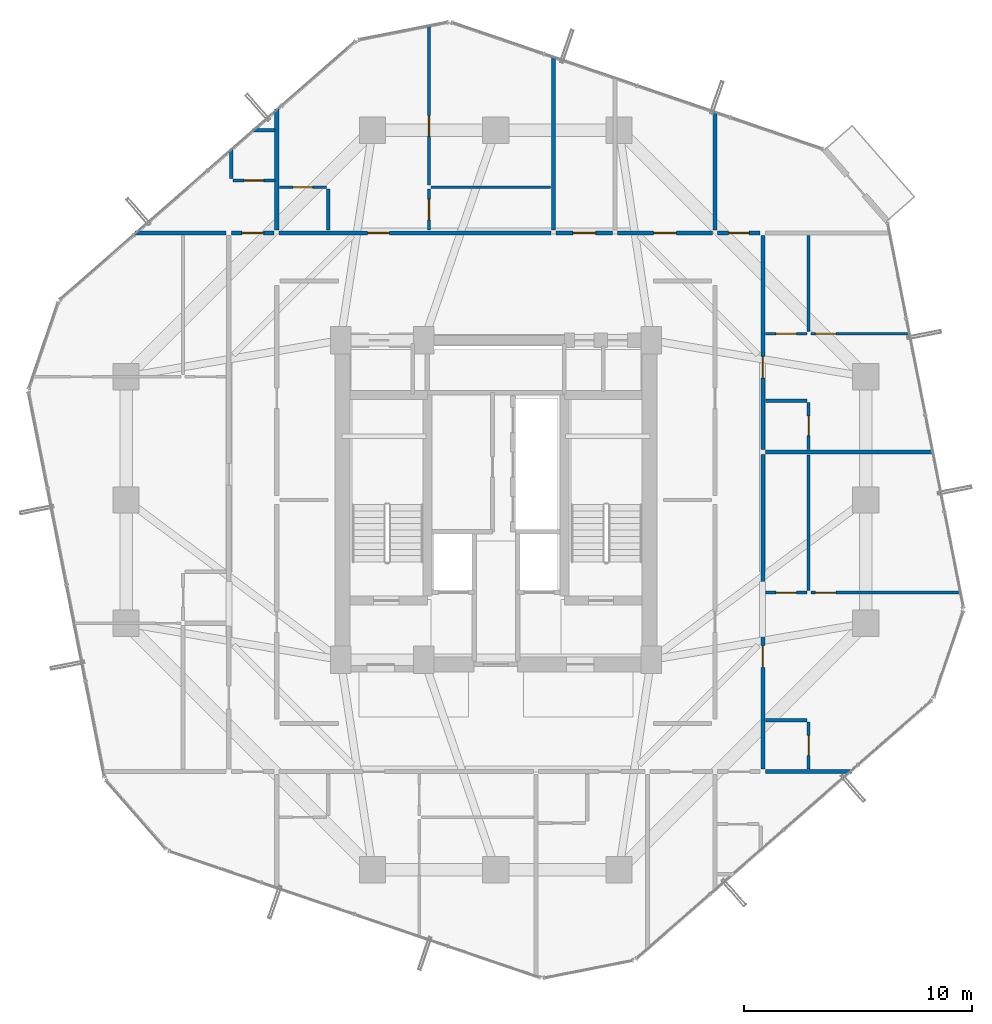
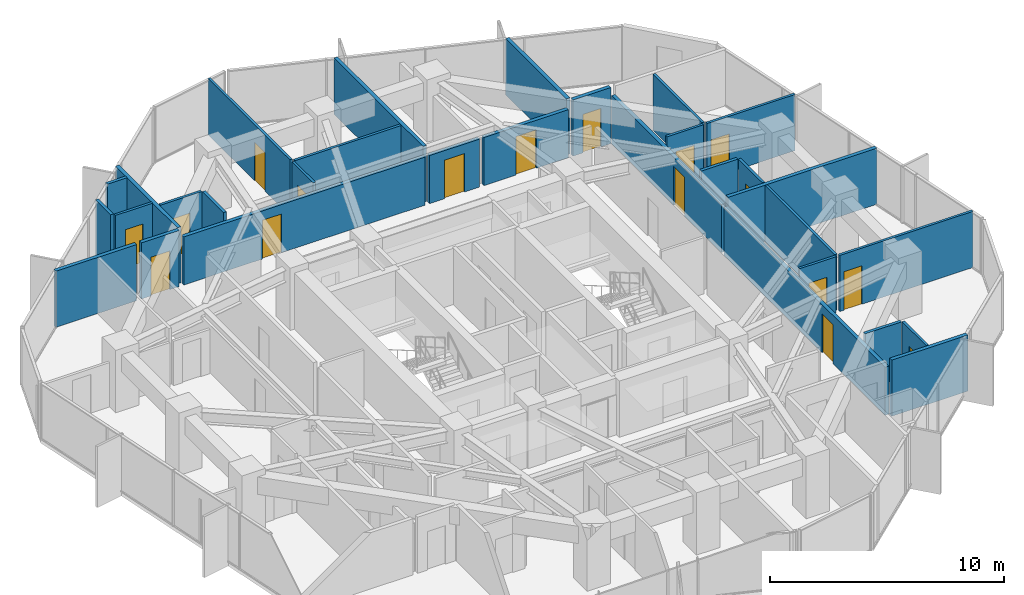
# One storey, part 33 of 36: 31 walls, 17 doors, 17 openings.
"""IFC4 building model written with IfcOpenShell, lengths in metres."""

from ifc_helpers import new_model, si_unit, direction, frame, frame_2d, origin, place, context, subcontext, project, spatial, rectangle, extrude, source, transform, mapped, material, layer, layer_set, type_object, element, fill, save


model = new_model("IFC4")

# Units and contexts
model_context = context("Model", 3, precision=1e-05, world=origin(), true_north=direction((0.0, 1.0)))
body_context = subcontext(model_context, "Body", "Model", "MODEL_VIEW")
ifc_project = project(units=[si_unit("LENGTHUNIT", "METRE"), si_unit("AREAUNIT", "SQUARE_METRE"), si_unit("VOLUMEUNIT", "CUBIC_METRE"), si_unit("PLANEANGLEUNIT", "RADIAN"), si_unit("MASSUNIT", "GRAM", prefix="KILO")], contexts=[model_context])

# Site, building, storey
site_placement = place(None, origin())
site = spatial("IfcSite", under=ifc_project, at=site_placement, CompositionType="ELEMENT")
building_placement = place(site_placement, origin())
building = spatial("IfcBuilding", under=site, at=building_placement, Name="Veraguas Prism Commons", CompositionType="ELEMENT")
storey_placement = place(building_placement, frame((0.0, 0.0, 166.300048828125)))
storey = spatial("IfcBuildingStorey", under=building, at=storey_placement, Name="L47", CompositionType="ELEMENT", Elevation=166.300048828125)

# Walls
ifc_material_1 = material(Name="Autoclaved aerated masonry block 10 MPa", Category="masonry")
ifc_layer_1 = layer(ifc_material_1, 0.179931640625, Name="Corridor and Inter-Tenancy Partition 180", Category="masonry")
ifc_layer_set_1 = layer_set([ifc_layer_1], Name="Autoclaved aerated masonry block 10 MPa")
wall_type_1 = type_object("IfcWallType", Name="Corridor and Inter-Tenancy Partition 180", PredefinedType="PARTITIONING", material=ifc_layer_set_1)
wall_1_placement = place(storey_placement, frame((14.39990234375, 35.820068359375, 0.0), z_axis=(0.0, 0.0, 1.0), x_axis=(0.0, 1.0, 0.0)))
element("IfcWall", 1, at=wall_1_placement, inside=storey, type_object=wall_type_1, Name="WL-L47-PT015", PredefinedType="PARTITIONING", context=body_context, shape_type="SweptSolid", body=[
    extrude(rectangle(XDim=5.306396484375, YDim=0.179931640625, at=frame_2d((2.6533203125, 0.0))), origin(), (0.0, 0.0, 1.0), 2.929931640625),
])
wall_2_placement = place(storey_placement, frame((33.60009765625, 35.820068359375, 0.0), z_axis=(0.0, 0.0, 1.0), x_axis=(0.0, 1.0, 0.0)))
element("IfcWall", 2, at=wall_2_placement, inside=storey, type_object=wall_type_1, Name="WL-L47-PT016", PredefinedType="PARTITIONING", context=body_context, shape_type="SweptSolid", body=[
    extrude(rectangle(XDim=5.204345703125, YDim=0.179931640625, at=frame_2d((2.60205078125, 0.0))), origin(), (0.0, 0.0, 1.0), 2.929931640625),
])

# Wall, opening, door
wall_3_placement = place(storey_placement, frame((14.510009765625, 35.699951171875, 0.0), z_axis=(0.0, 0.0, 1.0), x_axis=(1.0, 0.0, 0.0)))
wall_3 = element("IfcWall", 3, at=wall_3_placement, inside=storey, type_object=wall_type_1, Name="WL-L47-PT017", PredefinedType="PARTITIONING", context=body_context, shape_type="SweptSolid", body=[
    extrude(rectangle(XDim=11.904052734375, YDim=0.179931640625, at=frame_2d((5.9521484375, 0.0))), origin(), (0.0, 0.0, 1.0), 2.510009765625),
])
opening_1_placement = place(wall_3_placement, frame((3.8740234375, 0.0, 0.0)))
opening_1 = element("IfcOpeningElement", 4, at=opening_1_placement, cuts=wall_3, Name="Opening DR-01", PredefinedType="OPENING", context=body_context, shape_type="SweptSolid", body=[
    extrude(rectangle(XDim=0.949951171875, YDim=2.02001953125, at=frame_2d((0.47509765625, 1.010009765625))), frame((0.0, 0.099853515625, 0.0), z_axis=(0.0, -1.0, 0.0), x_axis=(1.0, 0.0, 0.0)), (0.0, 0.0, 1.0), 0.199951171875),
])
ifc_material_2 = material(Name="Anodised aluminium EN AW-6063 T6", Category="aluminium")
door_type_1 = type_object("IfcDoorType", Name="Apartment Entrance Fire Door 950x2020", OperationType="NOTDEFINED", PredefinedType="DOOR", material=ifc_material_2)
shared_shape_1 = source(origin(), body_context, "Body", "SweptSolid", [
    extrude(rectangle(XDim=0.949951171875, YDim=2.02001953125, at=frame_2d((0.47509765625, 1.010009765625))), frame((0.0, 0.02490234375, 0.0), z_axis=(0.0, -1.0, 0.0), x_axis=(1.0, 0.0, 0.0)), (0.0, 0.0, 1.0), 0.050048828125),
])
door_1_placement = place(opening_1_placement, origin())
door_1 = element("IfcDoor", 5, at=door_1_placement, inside=storey, type_object=door_type_1, Name="Flat 47C Entrance Door", OperationType="SINGLE_SWING_RIGHT", OverallHeight=2.02001953125, OverallWidth=0.949951171875, PredefinedType="DOOR", context=body_context, shape_type="MappedRepresentation", body=[
    mapped(shared_shape_1, transform((0.0, 0.0, 0.0), scale=1.0)),
])
fill(opening_1, door_1)

# Wall
wall_4_placement = place(storey_placement, frame((26.52392578125, 35.820068359375, 0.0), z_axis=(0.0, 0.0, 1.0), x_axis=(0.0, 1.0, 0.0)))
element("IfcWall", 6, at=wall_4_placement, inside=storey, type_object=wall_type_1, Name="WL-L47-PT023", PredefinedType="PARTITIONING", context=body_context, shape_type="SweptSolid", body=[
    extrude(rectangle(XDim=7.61865234375, YDim=0.179931640625, at=frame_2d((3.809326171875, 0.0))), origin(), (0.0, 0.0, 1.0), 2.929931640625),
])

# Wall, opening, door
wall_5_placement = place(storey_placement, frame((26.634033203125, 35.699951171875, 0.0), z_axis=(0.0, 0.0, 1.0), x_axis=(1.0, 0.0, 0.0)))
wall_5 = element("IfcWall", 7, at=wall_5_placement, inside=storey, type_object=wall_type_1, Name="WL-L47-PT024", PredefinedType="PARTITIONING", context=body_context, shape_type="SweptSolid", body=[
    extrude(rectangle(XDim=2.468994140625, YDim=0.179931640625, at=frame_2d((1.234375, 0.0))), origin(), (0.0, 0.0, 1.0), 2.510009765625),
])
opening_2_placement = place(wall_5_placement, frame((0.734619140625, 0.0, 0.0)))
opening_2 = element("IfcOpeningElement", 8, at=opening_2_placement, cuts=wall_5, Name="Opening DR-13", PredefinedType="OPENING", context=body_context, shape_type="SweptSolid", body=[
    extrude(rectangle(XDim=1.0, YDim=2.010009765625, at=frame_2d((0.5, 1.0048828125))), frame((0.0, 0.099853515625, 0.0), z_axis=(0.0, -1.0, 0.0), x_axis=(1.0, 0.0, 0.0)), (0.0, 0.0, 1.0), 0.199951171875),
])
ifc_material_3 = material(Name="Steel fire-rated door assembly", Category="steel")
door_type_2 = type_object("IfcDoorType", Name="Core Accessible WC and Clinic Fire Door 1000x2010", OperationType="NOTDEFINED", PredefinedType="DOOR", material=ifc_material_3)
shared_shape_2 = source(origin(), body_context, "Body", "SweptSolid", [
    extrude(rectangle(XDim=1.0, YDim=2.010009765625, at=frame_2d((0.5, 1.0048828125))), frame((0.0, 0.02490234375, 0.0), z_axis=(0.0, -1.0, 0.0), x_axis=(1.0, 0.0, 0.0)), (0.0, 0.0, 1.0), 0.050048828125),
])
door_2_placement = place(opening_2_placement, origin())
door_2 = element("IfcDoor", 9, at=door_2_placement, inside=storey, type_object=door_type_2, Name="Residents Study Room Door", OperationType="SINGLE_SWING_RIGHT", OverallHeight=2.010009765625, OverallWidth=1.0, PredefinedType="DOOR", context=body_context, shape_type="MappedRepresentation", body=[
    mapped(shared_shape_2, transform((0.0, 0.0, 0.0), scale=1.0)),
])
fill(opening_2, door_2)

wall_6_placement = place(storey_placement, frame((29.322998046875, 35.699951171875, 0.0), z_axis=(0.0, 0.0, 1.0), x_axis=(1.0, 0.0, 0.0)))
wall_6 = element("IfcWall", 10, at=wall_6_placement, inside=storey, type_object=wall_type_1, Name="WL-L47-PT025", PredefinedType="PARTITIONING", context=body_context, shape_type="SweptSolid", body=[
    extrude(rectangle(XDim=4.1669921875, YDim=0.179931640625, at=frame_2d((2.08349609375, 0.0))), origin(), (0.0, 0.0, 1.0), 2.510009765625),
])
opening_3_placement = place(wall_6_placement, frame((1.58349609375, 0.0, 0.0)))
opening_3 = element("IfcOpeningElement", 11, at=opening_3_placement, cuts=wall_6, Name="Opening DR-13", PredefinedType="OPENING", context=body_context, shape_type="SweptSolid", body=[
    extrude(rectangle(XDim=1.0, YDim=2.010009765625, at=frame_2d((0.5, 1.0048828125))), frame((0.0, 0.099853515625, 0.0), z_axis=(0.0, -1.0, 0.0), x_axis=(1.0, 0.0, 0.0)), (0.0, 0.0, 1.0), 0.199951171875),
])
door_3_placement = place(opening_3_placement, origin())
door_3 = element("IfcDoor", 12, at=door_3_placement, inside=storey, type_object=door_type_2, Name="Co-op Store N Door", OperationType="SINGLE_SWING_LEFT", OverallHeight=2.010009765625, OverallWidth=1.0, PredefinedType="DOOR", context=body_context, shape_type="MappedRepresentation", body=[
    mapped(shared_shape_2, transform((0.0, 0.0, 0.0), scale=1.0)),
])
fill(opening_3, door_3)

# Walls
wall_7_placement = place(storey_placement, frame((12.179931640625, 35.699951171875, 0.0), z_axis=(0.0, 0.0, 1.0), x_axis=(-1.0, 0.0, 0.0)))
element("IfcWall", 13, at=wall_7_placement, inside=storey, type_object=wall_type_1, Name="WL-L47-PT028", PredefinedType="PARTITIONING", context=body_context, shape_type="SweptSolid", body=[
    extrude(rectangle(XDim=3.9873046875, YDim=0.179931640625, at=frame_2d((1.99365234375, 0.0))), origin(), (0.0, 0.0, 1.0), 2.929931640625),
])
wall_8_placement = place(storey_placement, frame((35.820068359375, 12.10009765625, 0.0), z_axis=(0.0, 0.0, 1.0), x_axis=(1.0, 0.0, 0.0)))
element("IfcWall", 14, at=wall_8_placement, inside=storey, type_object=wall_type_1, Name="WL-L47-PT039", PredefinedType="PARTITIONING", context=body_context, shape_type="SweptSolid", body=[
    extrude(rectangle(XDim=3.758544921875, YDim=0.179931640625, at=frame_2d((1.87939453125, 0.0))), origin(), (0.0, 0.0, 1.0), 2.929931640625),
])

# Wall, opening, door
wall_9_placement = place(storey_placement, frame((35.699951171875, 12.2099609375, 0.0), z_axis=(0.0, 0.0, 1.0), x_axis=(0.0, 1.0, 0.0)))
wall_9 = element("IfcWall", 15, at=wall_9_placement, inside=storey, type_object=wall_type_1, Name="WL-L47-PT041", PredefinedType="PARTITIONING", context=body_context, shape_type="SweptSolid", body=[
    extrude(rectangle(XDim=13.781982421875, YDim=0.179931640625, at=frame_2d((6.89111328125, 0.0))), origin(), (0.0, 0.0, 1.0), 2.510009765625),
])
opening_4_placement = place(wall_9_placement, frame((4.46044921875, 0.0, 0.0)))
opening_4 = element("IfcOpeningElement", 16, at=opening_4_placement, cuts=wall_9, Name="Opening DR-01", PredefinedType="OPENING", context=body_context, shape_type="SweptSolid", body=[
    extrude(rectangle(XDim=0.949951171875, YDim=2.02001953125, at=frame_2d((0.47509765625, 1.010009765625))), frame((0.0, 0.099853515625, 0.0), z_axis=(0.0, -1.0, 0.0), x_axis=(1.0, 0.0, 0.0)), (0.0, 0.0, 1.0), 0.199951171875),
])
door_4_placement = place(opening_4_placement, origin())
door_4 = element("IfcDoor", 17, at=door_4_placement, inside=storey, type_object=door_type_1, Name="Flat 47E Entrance Door", OperationType="SINGLE_SWING_RIGHT", OverallHeight=2.02001953125, OverallWidth=0.949951171875, PredefinedType="DOOR", context=body_context, shape_type="MappedRepresentation", body=[
    mapped(shared_shape_1, transform((0.0, 0.0, 0.0), scale=1.0)),
])
fill(opening_4, door_4)

# Wall
wall_10_placement = place(storey_placement, frame((35.820068359375, 26.10205078125, 0.0), z_axis=(0.0, 0.0, 1.0), x_axis=(1.0, 0.0, 0.0)))
element("IfcWall", 18, at=wall_10_placement, inside=storey, type_object=wall_type_1, Name="WL-L47-PT047", PredefinedType="PARTITIONING", context=body_context, shape_type="SweptSolid", body=[
    extrude(rectangle(XDim=7.34814453125, YDim=0.179931640625, at=frame_2d((3.674072265625, 0.0))), origin(), (0.0, 0.0, 1.0), 2.929931640625),
])

# Wall, opening, door
wall_11_placement = place(storey_placement, frame((35.699951171875, 26.2119140625, 0.0), z_axis=(0.0, 0.0, 1.0), x_axis=(0.0, 1.0, 0.0)))
wall_11 = element("IfcWall", 19, at=wall_11_placement, inside=storey, type_object=wall_type_1, Name="WL-L47-PT048", PredefinedType="PARTITIONING", context=body_context, shape_type="SweptSolid", body=[
    extrude(rectangle(XDim=9.378173828125, YDim=0.179931640625, at=frame_2d((4.68896484375, 0.0))), origin(), (0.0, 0.0, 1.0), 2.510009765625),
])
opening_5_placement = place(wall_11_placement, frame((3.131591796875, 0.0, 0.0)))
opening_5 = element("IfcOpeningElement", 20, at=opening_5_placement, cuts=wall_11, Name="Opening DR-01", PredefinedType="OPENING", context=body_context, shape_type="SweptSolid", body=[
    extrude(rectangle(XDim=0.949951171875, YDim=2.02001953125, at=frame_2d((0.47509765625, 1.010009765625))), frame((0.0, 0.099853515625, 0.0), z_axis=(0.0, -1.0, 0.0), x_axis=(1.0, 0.0, 0.0)), (0.0, 0.0, 1.0), 0.199951171875),
])
door_5_placement = place(opening_5_placement, origin())
door_5 = element("IfcDoor", 21, at=door_5_placement, inside=storey, type_object=door_type_1, Name="Flat 47F Entrance Door", OperationType="SINGLE_SWING_RIGHT", OverallHeight=2.02001953125, OverallWidth=0.949951171875, PredefinedType="DOOR", context=body_context, shape_type="MappedRepresentation", body=[
    mapped(shared_shape_1, transform((0.0, 0.0, 0.0), scale=1.0)),
])
fill(opening_5, door_5)

wall_12_placement = place(storey_placement, frame((12.419921875, 35.699951171875, 0.0), z_axis=(0.0, 0.0, 1.0), x_axis=(1.0, 0.0, 0.0)))
wall_12 = element("IfcWall", 22, at=wall_12_placement, inside=storey, type_object=wall_type_1, Name="WL-L47-PT059", PredefinedType="PARTITIONING", context=body_context, shape_type="SweptSolid", body=[
    extrude(rectangle(XDim=1.860107421875, YDim=0.179931640625, at=frame_2d((0.93017578125, 0.0))), origin(), (0.0, 0.0, 1.0), 2.929931640625),
])
opening_6_placement = place(wall_12_placement, frame((0.455078125, 0.0, 0.0)))
opening_6 = element("IfcOpeningElement", 23, at=opening_6_placement, cuts=wall_12, Name="Opening DR-01", PredefinedType="OPENING", context=body_context, shape_type="SweptSolid", body=[
    extrude(rectangle(XDim=0.949951171875, YDim=2.02001953125, at=frame_2d((0.47509765625, 1.010009765625))), frame((0.0, 0.099853515625, 0.0), z_axis=(0.0, -1.0, 0.0), x_axis=(1.0, 0.0, 0.0)), (0.0, 0.0, 1.0), 0.199951171875),
])
door_6_placement = place(opening_6_placement, origin())
door_6 = element("IfcDoor", 24, at=door_6_placement, inside=storey, type_object=door_type_1, Name="Studio 47H Entrance Door", OperationType="SINGLE_SWING_LEFT", OverallHeight=2.02001953125, OverallWidth=0.949951171875, PredefinedType="DOOR", context=body_context, shape_type="MappedRepresentation", body=[
    mapped(shared_shape_1, transform((0.0, 0.0, 0.0), scale=1.0)),
])
fill(opening_6, door_6)

wall_13_placement = place(storey_placement, frame((33.719970703125, 35.699951171875, 0.0), z_axis=(0.0, 0.0, 1.0), x_axis=(1.0, 0.0, 0.0)))
wall_13 = element("IfcWall", 25, at=wall_13_placement, inside=storey, type_object=wall_type_1, Name="WL-L47-PT063", PredefinedType="PARTITIONING", context=body_context, shape_type="SweptSolid", body=[
    extrude(rectangle(XDim=1.860107421875, YDim=0.179931640625, at=frame_2d((0.93017578125, 0.0))), origin(), (0.0, 0.0, 1.0), 2.929931640625),
])
opening_7_placement = place(wall_13_placement, frame((0.47998046875, 0.0, 0.0)))
opening_7 = element("IfcOpeningElement", 26, at=opening_7_placement, cuts=wall_13, Name="Opening DR-14", PredefinedType="OPENING", context=body_context, shape_type="SweptSolid", body=[
    extrude(rectangle(XDim=0.89990234375, YDim=2.010009765625, at=frame_2d((0.449951171875, 1.0048828125))), frame((0.0, 0.099853515625, 0.0), z_axis=(0.0, -1.0, 0.0), x_axis=(1.0, 0.0, 0.0)), (0.0, 0.0, 1.0), 0.199951171875),
])
door_type_3 = type_object("IfcDoorType", Name="Core Service Room Fire Door 900x2010", OperationType="NOTDEFINED", PredefinedType="DOOR", material=ifc_material_3)
shared_shape_3 = source(origin(), body_context, "Body", "SweptSolid", [
    extrude(rectangle(XDim=0.89990234375, YDim=2.010009765625, at=frame_2d((0.449951171875, 1.0048828125))), frame((0.0, 0.02490234375, 0.0), z_axis=(0.0, -1.0, 0.0), x_axis=(1.0, 0.0, 0.0)), (0.0, 0.0, 1.0), 0.050048828125),
])
door_7_placement = place(opening_7_placement, origin())
door_7 = element("IfcDoor", 27, at=door_7_placement, inside=storey, type_object=door_type_3, Name="Residents Corner Study Room NE Door", OperationType="SINGLE_SWING_LEFT", OverallHeight=2.010009765625, OverallWidth=0.89990234375, PredefinedType="DOOR", context=body_context, shape_type="MappedRepresentation", body=[
    mapped(shared_shape_3, transform((0.0, 0.0, 0.0), scale=1.0)),
])
fill(opening_7, door_7)

ifc_material_4 = material(Name="Lightweight acoustic gypsum board")
ifc_layer_2 = layer(ifc_material_4, 0.125, Name="Internal Apartment Room Partition 125")
ifc_layer_set_2 = layer_set([ifc_layer_2], Name="Lightweight acoustic gypsum board")
wall_type_2 = type_object("IfcWallType", Name="Internal Apartment Room Partition 125", PredefinedType="PARTITIONING", material=ifc_layer_set_2)
wall_14_placement = place(storey_placement, frame((14.52001953125, 37.699951171875, 0.0), z_axis=(0.0, 0.0, 1.0), x_axis=(1.0, 0.0, 0.0)))
wall_14 = element("IfcWall", 28, at=wall_14_placement, inside=storey, type_object=wall_type_2, Name="WL-L47-PT019", PredefinedType="PARTITIONING", context=body_context, shape_type="SweptSolid", body=[
    extrude(rectangle(XDim=2.050048828125, YDim=0.125, at=frame_2d((1.02490234375, 0.0))), origin(), (0.0, 0.0, 1.0), 2.929931640625),
])
opening_8_placement = place(wall_14_placement, frame((0.594970703125, 0.0, 0.0)))
opening_8 = element("IfcOpeningElement", 29, at=opening_8_placement, cuts=wall_14, Name="Opening DR-03", PredefinedType="OPENING", context=body_context, shape_type="SweptSolid", body=[
    extrude(rectangle(XDim=0.860107421875, YDim=2.010009765625, at=frame_2d((0.43017578125, 1.0048828125))), frame((0.0, 0.072509765625, 0.0), z_axis=(0.0, -1.0, 0.0), x_axis=(1.0, 0.0, 0.0)), (0.0, 0.0, 1.0), 0.14501953125),
])
ifc_material_5 = material(Name="Timber moisture-resistant leaf", Category="wood")
door_type_4 = type_object("IfcDoorType", Name="Internal Bathroom Door 860x2010", OperationType="NOTDEFINED", PredefinedType="DOOR", material=ifc_material_5)
shared_shape_4 = source(origin(), body_context, "Body", "SweptSolid", [
    extrude(rectangle(XDim=0.860107421875, YDim=2.010009765625, at=frame_2d((0.43017578125, 1.0048828125))), frame((0.0, 0.02490234375, 0.0), z_axis=(0.0, -1.0, 0.0), x_axis=(1.0, 0.0, 0.0)), (0.0, 0.0, 1.0), 0.050048828125),
])
door_8_placement = place(opening_8_placement, origin())
door_8 = element("IfcDoor", 30, at=door_8_placement, inside=storey, type_object=door_type_4, Name="Flat 47C Bathroom Door", OperationType="SINGLE_SWING_LEFT", OverallHeight=2.010009765625, OverallWidth=0.860107421875, PredefinedType="DOOR", context=body_context, shape_type="MappedRepresentation", body=[
    mapped(shared_shape_4, transform((0.0, 0.0, 0.0), scale=1.0)),
])
fill(opening_8, door_8)

wall_15_placement = place(storey_placement, frame((21.068115234375, 35.820068359375, 0.0), z_axis=(0.0, 0.0, 1.0), x_axis=(0.0, 1.0, 0.0)))
wall_15 = element("IfcWall", 31, at=wall_15_placement, inside=storey, type_object=wall_type_2, Name="WL-L47-PT020", PredefinedType="PARTITIONING", context=body_context, shape_type="SweptSolid", body=[
    extrude(rectangle(XDim=1.800048828125, YDim=0.125, at=frame_2d((0.89990234375, 0.0))), origin(), (0.0, 0.0, 1.0), 2.929931640625),
])
opening_9_placement = place(wall_15_placement, frame((0.449951171875, 0.0, 0.0)))
opening_9 = element("IfcOpeningElement", 32, at=opening_9_placement, cuts=wall_15, Name="Opening DR-02", PredefinedType="OPENING", context=body_context, shape_type="SweptSolid", body=[
    extrude(rectangle(XDim=0.89990234375, YDim=2.010009765625, at=frame_2d((0.449951171875, 1.0048828125))), frame((0.0, 0.072509765625, 0.0), z_axis=(0.0, -1.0, 0.0), x_axis=(1.0, 0.0, 0.0)), (0.0, 0.0, 1.0), 0.14501953125),
])
ifc_material_6 = material(Name="Timber solid core hardwood", Category="wood")
door_type_5 = type_object("IfcDoorType", Name="Internal Habitable Room Door 900x2010", OperationType="NOTDEFINED", PredefinedType="DOOR", material=ifc_material_6)
door_9_placement = place(opening_9_placement, origin())
door_9 = element("IfcDoor", 33, at=door_9_placement, inside=storey, type_object=door_type_5, Name="Flat 47C Kitchen Door", OperationType="SINGLE_SWING_RIGHT", OverallHeight=2.010009765625, OverallWidth=0.89990234375, PredefinedType="DOOR", context=body_context, shape_type="MappedRepresentation", body=[
    mapped(shared_shape_3, transform((0.0, 0.0, 0.0), scale=1.0)),
])
fill(opening_9, door_9)

# Wall
wall_16_placement = place(storey_placement, frame((21.16796875, 37.699951171875, 0.0), z_axis=(0.0, 0.0, 1.0), x_axis=(1.0, 0.0, 0.0)))
element("IfcWall", 34, at=wall_16_placement, inside=storey, type_object=wall_type_2, Name="WL-L47-PT021", PredefinedType="PARTITIONING", context=body_context, shape_type="SweptSolid", body=[
    extrude(rectangle(XDim=5.236083984375, YDim=0.125, at=frame_2d((2.6181640625, 0.0))), origin(), (0.0, 0.0, 1.0), 2.929931640625),
])

# Wall, opening, door
wall_17_placement = place(storey_placement, frame((21.068115234375, 37.800048828125, 0.0), z_axis=(0.0, 0.0, 1.0), x_axis=(0.0, 1.0, 0.0)))
wall_17 = element("IfcWall", 35, at=wall_17_placement, inside=storey, type_object=wall_type_2, Name="WL-L47-PT022", PredefinedType="PARTITIONING", context=body_context, shape_type="SweptSolid", body=[
    extrude(rectangle(XDim=7.0068359375, YDim=0.125, at=frame_2d((3.50341796875, 0.0))), origin(), (0.0, 0.0, 1.0), 2.929931640625),
])
opening_10_placement = place(wall_17_placement, frame((2.140380859375, 0.0, 0.0)))
opening_10 = element("IfcOpeningElement", 36, at=opening_10_placement, cuts=wall_17, Name="Opening DR-02", PredefinedType="OPENING", context=body_context, shape_type="SweptSolid", body=[
    extrude(rectangle(XDim=0.89990234375, YDim=2.010009765625, at=frame_2d((0.449951171875, 1.0048828125))), frame((0.0, 0.072509765625, 0.0), z_axis=(0.0, -1.0, 0.0), x_axis=(1.0, 0.0, 0.0)), (0.0, 0.0, 1.0), 0.14501953125),
])
door_10_placement = place(opening_10_placement, origin())
door_10 = element("IfcDoor", 37, at=door_10_placement, inside=storey, type_object=door_type_5, Name="Flat 47C Bedroom 1 Door", OperationType="SINGLE_SWING_LEFT", OverallHeight=2.010009765625, OverallWidth=0.89990234375, PredefinedType="DOOR", context=body_context, shape_type="MappedRepresentation", body=[
    mapped(shared_shape_3, transform((0.0, 0.0, 0.0), scale=1.0)),
])
fill(opening_10, door_10)

wall_18_placement = place(storey_placement, frame((37.699951171875, 12.219970703125, 0.0), z_axis=(0.0, 0.0, 1.0), x_axis=(0.0, 1.0, 0.0)))
wall_18 = element("IfcWall", 38, at=wall_18_placement, inside=storey, type_object=wall_type_2, Name="WL-L47-PT043", PredefinedType="PARTITIONING", context=body_context, shape_type="SweptSolid", body=[
    extrude(rectangle(XDim=2.050048828125, YDim=0.125, at=frame_2d((1.02490234375, 0.0))), origin(), (0.0, 0.0, 1.0), 2.929931640625),
])
opening_11_placement = place(wall_18_placement, frame((0.594970703125, 0.0, 0.0)))
opening_11 = element("IfcOpeningElement", 39, at=opening_11_placement, cuts=wall_18, Name="Opening DR-03", PredefinedType="OPENING", context=body_context, shape_type="SweptSolid", body=[
    extrude(rectangle(XDim=0.860107421875, YDim=2.010009765625, at=frame_2d((0.43017578125, 1.0048828125))), frame((0.0, 0.072509765625, 0.0), z_axis=(0.0, -1.0, 0.0), x_axis=(1.0, 0.0, 0.0)), (0.0, 0.0, 1.0), 0.14501953125),
])
door_11_placement = place(opening_11_placement, origin())
door_11 = element("IfcDoor", 40, at=door_11_placement, inside=storey, type_object=door_type_4, Name="Flat 47E Bathroom Door", OperationType="SINGLE_SWING_LEFT", OverallHeight=2.010009765625, OverallWidth=0.860107421875, PredefinedType="DOOR", context=body_context, shape_type="MappedRepresentation", body=[
    mapped(shared_shape_4, transform((0.0, 0.0, 0.0), scale=1.0)),
])
fill(opening_11, door_11)

wall_19_placement = place(storey_placement, frame((35.820068359375, 19.94091796875, 0.0), z_axis=(0.0, 0.0, 1.0), x_axis=(1.0, 0.0, 0.0)))
wall_19 = element("IfcWall", 41, at=wall_19_placement, inside=storey, type_object=wall_type_2, Name="WL-L47-PT044", PredefinedType="PARTITIONING", context=body_context, shape_type="SweptSolid", body=[
    extrude(rectangle(XDim=1.800048828125, YDim=0.125, at=frame_2d((0.89990234375, 0.0))), origin(), (0.0, 0.0, 1.0), 2.929931640625),
])
opening_12_placement = place(wall_19_placement, frame((0.449951171875, 0.0, 0.0)))
opening_12 = element("IfcOpeningElement", 42, at=opening_12_placement, cuts=wall_19, Name="Opening DR-02", PredefinedType="OPENING", context=body_context, shape_type="SweptSolid", body=[
    extrude(rectangle(XDim=0.89990234375, YDim=2.010009765625, at=frame_2d((0.449951171875, 1.0048828125))), frame((0.0, 0.072509765625, 0.0), z_axis=(0.0, -1.0, 0.0), x_axis=(1.0, 0.0, 0.0)), (0.0, 0.0, 1.0), 0.14501953125),
])
door_12_placement = place(opening_12_placement, origin())
door_12 = element("IfcDoor", 43, at=door_12_placement, inside=storey, type_object=door_type_5, Name="Flat 47E Kitchen Door", OperationType="SINGLE_SWING_RIGHT", OverallHeight=2.010009765625, OverallWidth=0.89990234375, PredefinedType="DOOR", context=body_context, shape_type="MappedRepresentation", body=[
    mapped(shared_shape_3, transform((0.0, 0.0, 0.0), scale=1.0)),
])
fill(opening_12, door_12)

# Wall
wall_20_placement = place(storey_placement, frame((37.699951171875, 20.041015625, 0.0), z_axis=(0.0, 0.0, 1.0), x_axis=(0.0, 1.0, 0.0)))
element("IfcWall", 44, at=wall_20_placement, inside=storey, type_object=wall_type_2, Name="WL-L47-PT045", PredefinedType="PARTITIONING", context=body_context, shape_type="SweptSolid", body=[
    extrude(rectangle(XDim=5.94091796875, YDim=0.125, at=frame_2d((2.970458984375, 0.0))), origin(), (0.0, 0.0, 1.0), 2.929931640625),
])

# Wall, opening, door
wall_21_placement = place(storey_placement, frame((37.800048828125, 19.94091796875, 0.0), z_axis=(0.0, 0.0, 1.0), x_axis=(1.0, 0.0, 0.0)))
wall_21 = element("IfcWall", 45, at=wall_21_placement, inside=storey, type_object=wall_type_2, Name="WL-L47-PT046", PredefinedType="PARTITIONING", context=body_context, shape_type="SweptSolid", body=[
    extrude(rectangle(XDim=6.58349609375, YDim=0.125, at=frame_2d((3.291748046875, 0.0))), origin(), (0.0, 0.0, 1.0), 2.929931640625),
])
opening_13_placement = place(wall_21_placement, frame((0.199951171875, 0.0, 0.0)))
opening_13 = element("IfcOpeningElement", 46, at=opening_13_placement, cuts=wall_21, Name="Opening DR-02", PredefinedType="OPENING", context=body_context, shape_type="SweptSolid", body=[
    extrude(rectangle(XDim=0.89990234375, YDim=2.010009765625, at=frame_2d((0.449951171875, 1.0048828125))), frame((0.0, 0.072509765625, 0.0), z_axis=(0.0, -1.0, 0.0), x_axis=(1.0, 0.0, 0.0)), (0.0, 0.0, 1.0), 0.14501953125),
])
door_13_placement = place(opening_13_placement, origin())
door_13 = element("IfcDoor", 47, at=door_13_placement, inside=storey, type_object=door_type_5, Name="Flat 47E Bedroom 1 Door", OperationType="SINGLE_SWING_LEFT", OverallHeight=2.010009765625, OverallWidth=0.89990234375, PredefinedType="DOOR", context=body_context, shape_type="MappedRepresentation", body=[
    mapped(shared_shape_3, transform((0.0, 0.0, 0.0), scale=1.0)),
])
fill(opening_13, door_13)

wall_22_placement = place(storey_placement, frame((37.699951171875, 26.221923828125, 0.0), z_axis=(0.0, 0.0, 1.0), x_axis=(0.0, 1.0, 0.0)))
wall_22 = element("IfcWall", 48, at=wall_22_placement, inside=storey, type_object=wall_type_2, Name="WL-L47-PT050", PredefinedType="PARTITIONING", context=body_context, shape_type="SweptSolid", body=[
    extrude(rectangle(XDim=2.050048828125, YDim=0.125, at=frame_2d((1.02490234375, 0.0))), origin(), (0.0, 0.0, 1.0), 2.929931640625),
])
opening_14_placement = place(wall_22_placement, frame((0.594970703125, 0.0, 0.0)))
opening_14 = element("IfcOpeningElement", 49, at=opening_14_placement, cuts=wall_22, Name="Opening DR-03", PredefinedType="OPENING", context=body_context, shape_type="SweptSolid", body=[
    extrude(rectangle(XDim=0.860107421875, YDim=2.010009765625, at=frame_2d((0.43017578125, 1.0048828125))), frame((0.0, 0.072509765625, 0.0), z_axis=(0.0, -1.0, 0.0), x_axis=(1.0, 0.0, 0.0)), (0.0, 0.0, 1.0), 0.14501953125),
])
door_14_placement = place(opening_14_placement, origin())
door_14 = element("IfcDoor", 50, at=door_14_placement, inside=storey, type_object=door_type_4, Name="Flat 47F Bathroom Door", OperationType="SINGLE_SWING_LEFT", OverallHeight=2.010009765625, OverallWidth=0.860107421875, PredefinedType="DOOR", context=body_context, shape_type="MappedRepresentation", body=[
    mapped(shared_shape_4, transform((0.0, 0.0, 0.0), scale=1.0)),
])
fill(opening_14, door_14)

wall_23_placement = place(storey_placement, frame((35.820068359375, 31.284912109375, 0.0), z_axis=(0.0, 0.0, 1.0), x_axis=(1.0, 0.0, 0.0)))
wall_23 = element("IfcWall", 51, at=wall_23_placement, inside=storey, type_object=wall_type_2, Name="WL-L47-PT051", PredefinedType="PARTITIONING", context=body_context, shape_type="SweptSolid", body=[
    extrude(rectangle(XDim=1.800048828125, YDim=0.125, at=frame_2d((0.89990234375, 0.0))), origin(), (0.0, 0.0, 1.0), 2.929931640625),
])
opening_15_placement = place(wall_23_placement, frame((0.449951171875, 0.0, 0.0)))
opening_15 = element("IfcOpeningElement", 52, at=opening_15_placement, cuts=wall_23, Name="Opening DR-02", PredefinedType="OPENING", context=body_context, shape_type="SweptSolid", body=[
    extrude(rectangle(XDim=0.89990234375, YDim=2.010009765625, at=frame_2d((0.449951171875, 1.0048828125))), frame((0.0, 0.072509765625, 0.0), z_axis=(0.0, -1.0, 0.0), x_axis=(1.0, 0.0, 0.0)), (0.0, 0.0, 1.0), 0.14501953125),
])
door_15_placement = place(opening_15_placement, origin())
door_15 = element("IfcDoor", 53, at=door_15_placement, inside=storey, type_object=door_type_5, Name="Flat 47F Kitchen Door", OperationType="SINGLE_SWING_RIGHT", OverallHeight=2.010009765625, OverallWidth=0.89990234375, PredefinedType="DOOR", context=body_context, shape_type="MappedRepresentation", body=[
    mapped(shared_shape_3, transform((0.0, 0.0, 0.0), scale=1.0)),
])
fill(opening_15, door_15)

# Wall
wall_24_placement = place(storey_placement, frame((37.699951171875, 31.385009765625, 0.0), z_axis=(0.0, 0.0, 1.0), x_axis=(0.0, 1.0, 0.0)))
element("IfcWall", 54, at=wall_24_placement, inside=storey, type_object=wall_type_2, Name="WL-L47-PT052", PredefinedType="PARTITIONING", context=body_context, shape_type="SweptSolid", body=[
    extrude(rectangle(XDim=4.195068359375, YDim=0.125, at=frame_2d((2.09765625, 0.0))), origin(), (0.0, 0.0, 1.0), 2.929931640625),
])

# Wall, opening, door
wall_25_placement = place(storey_placement, frame((37.800048828125, 31.284912109375, 0.0), z_axis=(0.0, 0.0, 1.0), x_axis=(1.0, 0.0, 0.0)))
wall_25 = element("IfcWall", 55, at=wall_25_placement, inside=storey, type_object=wall_type_2, Name="WL-L47-PT053", PredefinedType="PARTITIONING", context=body_context, shape_type="SweptSolid", body=[
    extrude(rectangle(XDim=4.345458984375, YDim=0.125, at=frame_2d((2.1728515625, 0.0))), origin(), (0.0, 0.0, 1.0), 2.929931640625),
])
opening_16_placement = place(wall_25_placement, frame((0.199951171875, 0.0, 0.0)))
opening_16 = element("IfcOpeningElement", 56, at=opening_16_placement, cuts=wall_25, Name="Opening DR-02", PredefinedType="OPENING", context=body_context, shape_type="SweptSolid", body=[
    extrude(rectangle(XDim=0.89990234375, YDim=2.010009765625, at=frame_2d((0.449951171875, 1.0048828125))), frame((0.0, 0.072509765625, 0.0), z_axis=(0.0, -1.0, 0.0), x_axis=(1.0, 0.0, 0.0)), (0.0, 0.0, 1.0), 0.14501953125),
])
door_16_placement = place(opening_16_placement, origin())
door_16 = element("IfcDoor", 57, at=door_16_placement, inside=storey, type_object=door_type_5, Name="Flat 47F Bedroom 1 Door", OperationType="SINGLE_SWING_LEFT", OverallHeight=2.010009765625, OverallWidth=0.89990234375, PredefinedType="DOOR", context=body_context, shape_type="MappedRepresentation", body=[
    mapped(shared_shape_3, transform((0.0, 0.0, 0.0), scale=1.0)),
])
fill(opening_16, door_16)

wall_26_placement = place(storey_placement, frame((12.47998046875, 38.0, 0.0), z_axis=(0.0, 0.0, 1.0), x_axis=(1.0, 0.0, 0.0)))
wall_26 = element("IfcWall", 58, at=wall_26_placement, inside=storey, type_object=wall_type_2, Name="WL-L47-PT060", PredefinedType="PARTITIONING", context=body_context, shape_type="SweptSolid", body=[
    extrude(rectangle(XDim=1.840087890625, YDim=0.125, at=frame_2d((0.919921875, 0.0))), origin(), (0.0, 0.0, 1.0), 2.929931640625),
])
opening_17_placement = place(wall_26_placement, frame((0.489990234375, 0.0, 0.0)))
opening_17 = element("IfcOpeningElement", 59, at=opening_17_placement, cuts=wall_26, Name="Opening DR-03", PredefinedType="OPENING", context=body_context, shape_type="SweptSolid", body=[
    extrude(rectangle(XDim=0.860107421875, YDim=2.010009765625, at=frame_2d((0.43017578125, 1.0048828125))), frame((0.0, 0.072509765625, 0.0), z_axis=(0.0, -1.0, 0.0), x_axis=(1.0, 0.0, 0.0)), (0.0, 0.0, 1.0), 0.14501953125),
])
door_17_placement = place(opening_17_placement, origin())
door_17 = element("IfcDoor", 60, at=door_17_placement, inside=storey, type_object=door_type_4, Name="Studio 47H Bathroom Door", OperationType="SINGLE_SWING_RIGHT", OverallHeight=2.010009765625, OverallWidth=0.860107421875, PredefinedType="DOOR", context=body_context, shape_type="MappedRepresentation", body=[
    mapped(shared_shape_4, transform((0.0, 0.0, 0.0), scale=1.0)),
])
fill(opening_17, door_17)

# Walls
ifc_layer_3 = layer(ifc_material_4, 0.14990234375, Name="Wet Room and Clinic Acoustic Partition 150")
ifc_layer_set_3 = layer_set([ifc_layer_3], Name="Lightweight acoustic gypsum board")
wall_type_3 = type_object("IfcWallType", Name="Wet Room and Clinic Acoustic Partition 150", PredefinedType="PARTITIONING", material=ifc_layer_set_3)
for number, where, z_axis, x_axis, name in (
    (61, (16.64990234375, 35.820068359375, 0.0), (0.0, 0.0, 1.0), (0.0, 1.0, 0.0), "WL-L47-PT018"),
    (62, (35.820068359375, 14.35009765625, 0.0), (0.0, 0.0, 1.0), (1.0, 0.0, 0.0), "WL-L47-PT042"),
    (63, (35.820068359375, 28.35205078125, 0.0), (0.0, 0.0, 1.0), (1.0, 0.0, 0.0), "WL-L47-PT049"),
):
    element("IfcWall", number, at=place(storey_placement, frame(where, z_axis=z_axis, x_axis=x_axis)), inside=storey, type_object=wall_type_3, Name=name, PredefinedType="PARTITIONING", context=body_context, shape_type="SweptSolid", body=[
        extrude(rectangle(XDim=1.800048828125, YDim=0.14990234375, at=frame_2d((0.89990234375, 0.0))), origin(), (0.0, 0.0, 1.0), 2.929931640625),
    ])
wall_27_placement = place(storey_placement, frame((13.340087890625, 40.199951171875, 0.0), z_axis=(0.0, 0.0, 1.0), x_axis=(1.0, 0.0, 0.0)))
element("IfcWall", 64, at=wall_27_placement, inside=storey, type_object=wall_type_3, Name="WL-L47-PT061", PredefinedType="PARTITIONING", context=body_context, shape_type="SweptSolid", body=[
    extrude(rectangle(XDim=0.97998046875, YDim=0.14990234375, at=frame_2d((0.489990234375, 0.0))), origin(), (0.0, 0.0, 1.0), 2.929931640625),
])
wall_28_placement = place(storey_placement, frame((12.39990234375, 38.080078125, 0.0), z_axis=(0.0, 0.0, 1.0), x_axis=(0.0, 1.0, 0.0)))
element("IfcWall", 65, at=wall_28_placement, inside=storey, type_object=wall_type_3, Name="WL-L47-PT062", PredefinedType="PARTITIONING", context=body_context, shape_type="SweptSolid", body=[
    extrude(rectangle(XDim=1.298095703125, YDim=0.14990234375, at=frame_2d((0.64892578125, 0.0))), origin(), (0.0, 0.0, 1.0), 2.929931640625),
])

save(model, "model.ifc")
